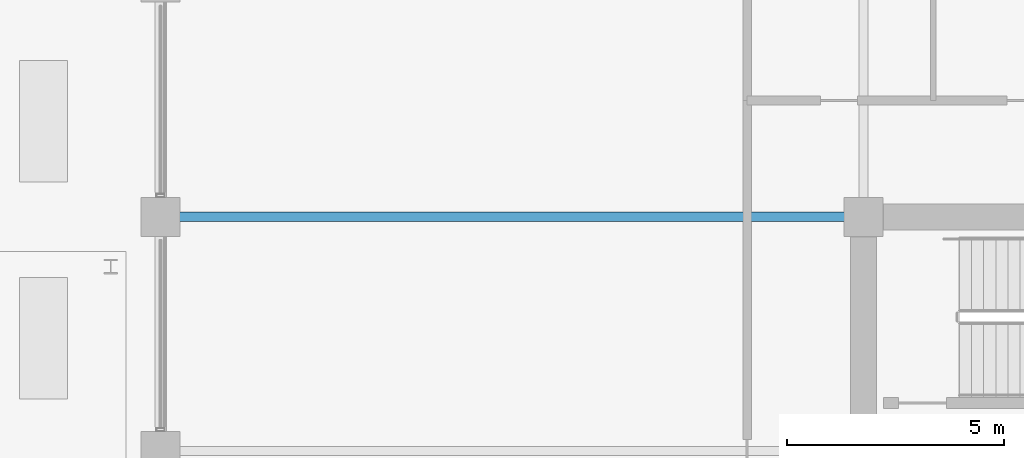
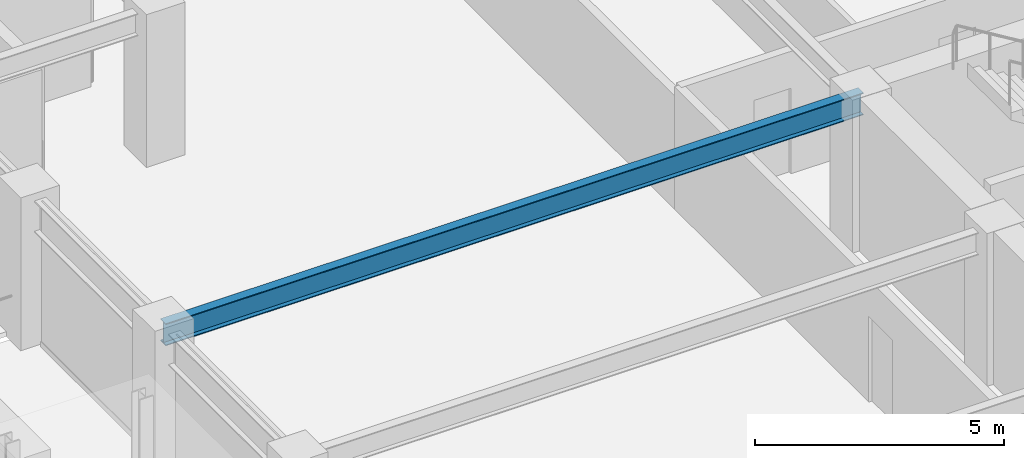
# One storey, part 16 of 36: 1 beam.
"""IFC4 building model written with IfcOpenShell, lengths in metres."""

from ifc_helpers import new_model, si_unit, direction, frame, origin, origin_2d, place, context, subcontext, project, spatial, i_section, extrude, material, material_profile, profile_set, type_object, element, save


model = new_model("IFC4")

# Units and contexts
model_context = context("Model", 3, precision=1e-05, world=origin(), true_north=direction((0.0, 1.0)))
body_context = subcontext(model_context, "Body", "Model", "MODEL_VIEW")
ifc_project = project(units=[si_unit("LENGTHUNIT", "METRE"), si_unit("AREAUNIT", "SQUARE_METRE"), si_unit("VOLUMEUNIT", "CUBIC_METRE"), si_unit("PLANEANGLEUNIT", "RADIAN"), si_unit("MASSUNIT", "GRAM", prefix="KILO")], contexts=[model_context])

# Site, building, storey
site_placement = place(None, origin())
site = spatial("IfcSite", under=ifc_project, at=site_placement, CompositionType="ELEMENT")
building_placement = place(site_placement, origin())
building = spatial("IfcBuilding", under=site, at=building_placement, Name="Surkhivell Harbour Commons", CompositionType="ELEMENT")
storey_placement = place(building_placement, frame((0.0, 0.0, 171.0)))
storey = spatial("IfcBuildingStorey", under=building, at=storey_placement, Name="L44", CompositionType="ELEMENT", Elevation=171.0)

# Beam
ifc_material = material(Name="Steel S355", Category="steel")
ifc_material_profile = material_profile(ifc_material, i_section(OverallWidth=0.2119140625, OverallDepth=0.5439453125, WebThickness=0.0126953125, FlangeThickness=0.021240234375, at=origin_2d()), Name="UB533x210x122")
ifc_profile_set = profile_set([ifc_material_profile], Name="Steel S355")
beam_type = type_object("IfcBeamType", Name="BM-GRD-533A", PredefinedType="BEAM", material=ifc_profile_set)
beam_placement = place(storey_placement, frame((-27.0, 10.800048828125, 3.298095703125), z_axis=(1.0, 0.0, 0.0), x_axis=(0.0, 1.0, 0.0)))
element("IfcBeam", 1, at=beam_placement, inside=storey, type_object=beam_type, Name="L44 Floor Girder (-27.0,10.8)", PredefinedType="BEAM", context=body_context, shape_type="SweptSolid", body=[
    extrude(i_section(OverallWidth=0.2119140625, OverallDepth=0.5439453125, WebThickness=0.0126953125, FlangeThickness=0.021240234375, at=origin_2d()), origin(), (0.0, 0.0, 1.0), 16.199951171875),
])

save(model, "model.ifc")
